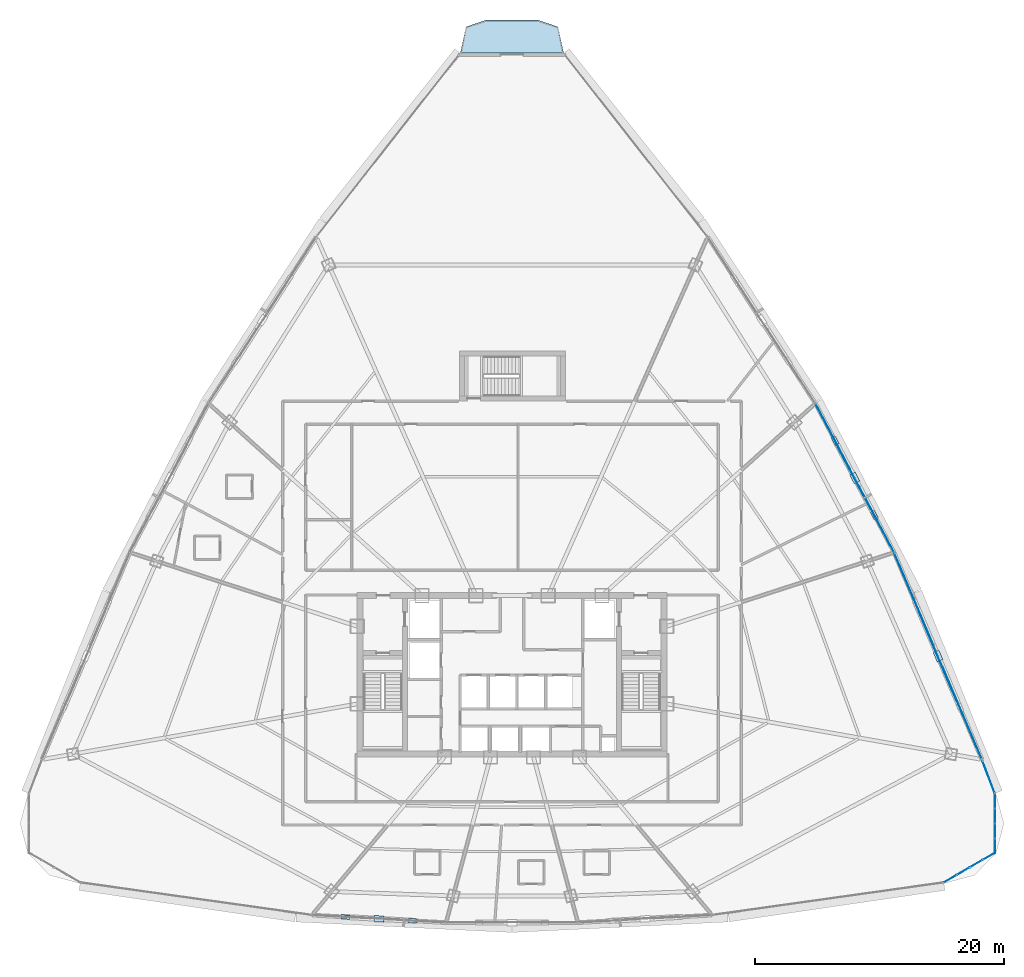
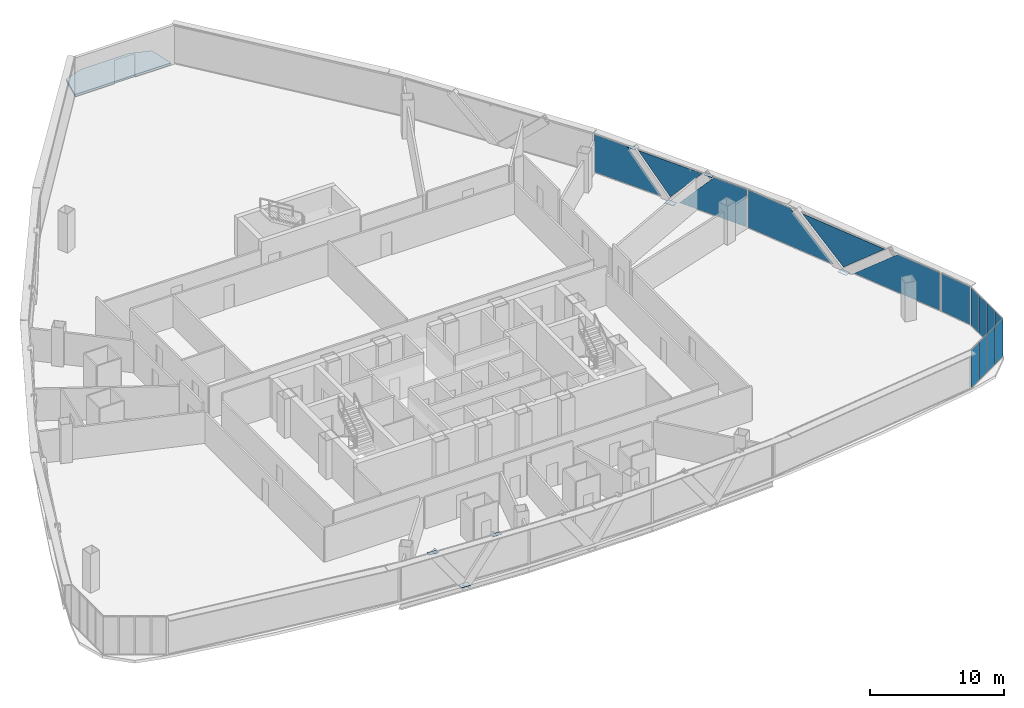
# One storey, part 30 of 40: 22 plates, 1 slab, 5 elements without a shape of their own.
"""IFC4 building model written with IfcOpenShell, lengths in metres."""

from ifc_helpers import new_model, si_unit, direction, frame, origin, origin_2d, place, context, subcontext, project, spatial, polyline, rectangle, outline, extrude, source, transform, mapped, material, layer, layer_set, type_object, element, aggregate, save


model = new_model("IFC4")

# Units and contexts
model_context = context("Model", 3, precision=1e-05, world=origin(), true_north=direction((0.0, 1.0)))
body_context = subcontext(model_context, "Body", "Model", "MODEL_VIEW")
ifc_project = project(units=[si_unit("LENGTHUNIT", "METRE"), si_unit("AREAUNIT", "SQUARE_METRE"), si_unit("VOLUMEUNIT", "CUBIC_METRE"), si_unit("PLANEANGLEUNIT", "RADIAN"), si_unit("MASSUNIT", "GRAM", prefix="KILO"), si_unit("THERMODYNAMICTEMPERATUREUNIT", "KELVIN"), si_unit("POWERUNIT", "WATT")], contexts=[model_context])

# Site, building, storey
site_placement = place(None, origin())
site = spatial("IfcSite", under=ifc_project, at=site_placement, CompositionType="ELEMENT")
building_placement = place(site_placement, origin())
building = spatial("IfcBuilding", under=site, at=building_placement, Name="Yunzhuo Pagoda Commons", CompositionType="ELEMENT")
storey_placement = place(building_placement, frame((0.0, 0.0, 184.760009765625)))
storey = spatial("IfcBuildingStorey", under=building, at=storey_placement, Name="L46", CompositionType="ELEMENT", Elevation=184.760009765625)

# Curtain wall, plates
ifc_material_1 = material(Name="Anodized aluminium 6063-T6", Category="aluminium")
ifc_layer_1 = layer(ifc_material_1, 0.14990234375)
ifc_layer_set_1 = layer_set([ifc_layer_1], Name="Anodized aluminium 6063-T6")
curtain_wall_type_1 = type_object("IfcCurtainWallType", Name="CW-MID Mid-Zone Ribbon Curtain Wall", PredefinedType="NOTDEFINED", material=ifc_layer_set_1)
curtain_wall_1_placement = place(storey_placement, origin())
curtain_wall_1 = element("IfcCurtainWall", 1, at=curtain_wall_1_placement, inside=storey, type_object=curtain_wall_type_1, Name="L46 curtain wall CW-L46-F2B2", PredefinedType="NOTDEFINED")
ifc_material_2 = material(Name="Tempered low-e double glazing", Category="glass")
ifc_layer_2 = layer(ifc_material_2, 0.028076171875)
ifc_layer_set_2 = layer_set([ifc_layer_2], Name="Tempered low-e double glazing")
plate_type_1 = type_object("IfcPlateType", Name="CW-MID-P Low-E Double Glazing 28", PredefinedType="CURTAIN_PANEL", material=ifc_layer_set_2)
plate_1_placement = place(storey_placement, frame((84.093994140625, 30.783447265625, 1.77001953125), z_axis=(0.920515325194, 0.390706457693, 0.0), x_axis=(-0.390706457693, 0.920515325194, 0.0)))
plate_1 = element("IfcPlate", 2, at=plate_1_placement, type_object=plate_type_1, Name="CW panel 1.1 lite 1", PredefinedType="CURTAIN_PANEL", context=body_context, shape_type="SweptSolid", body=[
    extrude(outline(polyline([(-3.99755859375, -1.715087890625), (3.99755859375, -1.715087890625), (-0.072509765625, 1.715087890625), (-3.99755859375, 1.715087890625), (-3.99755859375, -1.715087890625)])), origin(), (0.0, 0.0, 1.0), 0.028076171875),
])
plate_2_placement = place(storey_placement, frame((82.128173828125, 35.33837890625, 1.86083984375), z_axis=(0.920515325194, 0.390706457693, 0.0), x_axis=(-0.390706457693, 0.920515325194, 0.0)))
plate_2 = element("IfcPlate", 3, at=plate_2_placement, type_object=plate_type_1, Name="CW panel 1.1 lite 2", PredefinedType="CURTAIN_PANEL", context=body_context, shape_type="SweptSolid", body=[
    extrude(outline(polyline([(-3.854248046875, 1.6240234375), (0.0, -1.6240234375), (3.854248046875, 1.6240234375), (-3.854248046875, 1.6240234375)])), origin(), (0.0, 0.0, 1.0), 0.028076171875),
])
plate_3_placement = place(storey_placement, frame((80.217529296875, 39.916748046875, 1.77001953125), z_axis=(0.920515325194, 0.390706457693, 0.0), x_axis=(-0.390706457693, 0.920515325194, 0.0)))
plate_3 = element("IfcPlate", 4, at=plate_3_placement, type_object=plate_type_1, Name="CW panel 1.1 lite 3", PredefinedType="CURTAIN_PANEL", context=body_context, shape_type="SweptSolid", body=[
    extrude(outline(polyline([(-3.99755859375, -1.715087890625), (3.99755859375, -1.715087890625), (3.99755859375, 1.715087890625), (0.072509765625, 1.715087890625), (-3.99755859375, -1.715087890625)])), origin(), (0.0, 0.0, 1.0), 0.028076171875),
])
aggregate(curtain_wall_1, [plate_1, plate_2, plate_3])

curtain_wall_2_placement = place(storey_placement, origin())
curtain_wall_2 = element("IfcCurtainWall", 5, at=curtain_wall_2_placement, inside=storey, type_object=curtain_wall_type_1, Name="L46 curtain wall CW-L46-F2B3", PredefinedType="NOTDEFINED")
plate_4_placement = place(storey_placement, frame((77.225341796875, 46.317138671875, 1.77001953125), z_axis=(0.884373131246, 0.46678063877, 0.0), x_axis=(-0.46678063877, 0.884373131246, 0.0)))
plate_4 = element("IfcPlate", 6, at=plate_4_placement, type_object=plate_type_1, Name="CW panel 1.1 lite 1", PredefinedType="CURTAIN_PANEL", context=body_context, shape_type="SweptSolid", body=[
    extrude(outline(polyline([(-2.955078125, -1.715087890625), (2.955078125, -1.715087890625), (-0.095458984375, 1.715087890625), (-2.955078125, 1.715087890625), (-2.955078125, -1.715087890625)])), origin(), (0.0, 0.0, 1.0), 0.028076171875),
])
plate_5_placement = place(storey_placement, frame((75.451171875, 49.61376953125, 1.8984375), z_axis=(0.884373131246, 0.46678063877, 0.0), x_axis=(-0.46678063877, 0.884373131246, 0.0)))
plate_5 = element("IfcPlate", 7, at=plate_5_placement, type_object=plate_type_1, Name="CW panel 1.1 lite 2", PredefinedType="CURTAIN_PANEL", context=body_context, shape_type="SweptSolid", body=[
    extrude(outline(polyline([(-2.822021484375, 1.586669921875), (0.0, -1.586669921875), (2.822021484375, 1.586669921875), (-2.822021484375, 1.586669921875)])), origin(), (0.0, 0.0, 1.0), 0.028076171875),
])
plate_6_placement = place(storey_placement, frame((73.73046875, 52.938720703125, 1.77001953125), z_axis=(0.884373131246, 0.46678063877, 0.0), x_axis=(-0.46678063877, 0.884373131246, 0.0)))
plate_6 = element("IfcPlate", 8, at=plate_6_placement, type_object=plate_type_1, Name="CW panel 1.1 lite 3", PredefinedType="CURTAIN_PANEL", context=body_context, shape_type="SweptSolid", body=[
    extrude(outline(polyline([(-2.955078125, -1.715087890625), (2.955078125, -1.715087890625), (2.955078125, 1.715087890625), (0.09521484375, 1.715087890625), (-2.955078125, -1.715087890625)])), origin(), (0.0, 0.0, 1.0), 0.028076171875),
])
aggregate(curtain_wall_2, [plate_4, plate_5, plate_6])

# Slab
ifc_material_3 = material(Name="Concrete C40", Category="concrete")
ifc_layer_3 = layer(ifc_material_3, 0.199951171875)
ifc_layer_set_3 = layer_set([ifc_layer_3], Name="Concrete C40")
slab_type = type_object("IfcSlabType", Name="SL-BAL Vertex Balcony Deck Slab 200", PredefinedType="FLOOR", material=ifc_layer_set_3)
slab_placement = place(storey_placement, frame((0.0, 0.0, -0.199951171875)))
element("IfcSlab", 9, at=slab_placement, inside=storey, type_object=slab_type, Name="L46 corner balcony V3", PredefinedType="FLOOR", context=body_context, shape_type="SweptSolid", body=[
    extrude(outline(polyline([(52.140380859375, 83.7177734375), (43.859619140625, 83.7177734375), (44.309814453125, 85.812744140625), (45.929931640625, 86.36279296875), (50.070068359375, 86.36279296875), (51.690185546875, 85.812744140625), (52.140380859375, 83.7177734375)])), origin(), (0.0, 0.0, 1.0), 0.199951171875),
])

# Plates
ifc_material_4 = material(Name="Structural steel Q355B", Category="steel")
ifc_layer_4 = layer(ifc_material_4, 0.028076171875)
ifc_layer_set_4 = layer_set([ifc_layer_4], Name="Structural steel Q355B")
plate_type_2 = type_object("IfcPlateType", Name="SP-ND1 Lattice Node Cap Plate 800x500x28", PredefinedType="USERDEFINED", material=ifc_layer_set_4)
shared_shape_1 = source(origin(), body_context, "Body", "SweptSolid", [
    extrude(rectangle(XDim=0.800048828125, YDim=0.5, at=origin_2d()), origin(), (0.0, 0.0, 1.0), 0.028076171875),
])
for number, where, z_axis, x_axis, name in (
    (10, (37.3330078125, 14.27294921875, -0.27392578125), (0.0, 0.0, 1.0), (0.998423178068, -0.05613517165, 0.0), "L46 diamond node plate F1.1A"),
    (11, (82.168701171875, 35.35546875, -0.27392578125), (0.0, 0.0, 1.0), (-0.39069899657, 0.920518491981, 0.0), "L46 diamond node plate F2.1A"),
    (12, (75.490234375, 49.634521484375, -0.27392578125), (0.0, 0.0, 1.0), (-0.46678800242, 0.884369244601, 0.0), "L46 diamond node plate F2.2A"),
):
    element("IfcPlate", number, at=place(storey_placement, frame(where, z_axis=z_axis, x_axis=x_axis)), inside=storey, type_object=plate_type_2, Name=name, ObjectType="STIFFENER_PLATE", PredefinedType="USERDEFINED", context=body_context, shape_type="MappedRepresentation", body=[
        mapped(shared_shape_1, transform((0.0, 0.0, 0.0), scale=1.0)),
    ])
shared_shape_2 = source(origin(), body_context, "Body", "SweptSolid", [
    extrude(rectangle(XDim=0.699951171875, YDim=0.35009765625, at=origin_2d()), origin(), (0.0, 0.0, 1.0), 0.035888671875),
])
for number, where, z_axis, x_axis, name in (
    (13, (34.642822265625, 14.42431640625, 3.501953125), (0.0, 0.0, 1.0), (0.998423178068, -0.05613517165, 0.0), "L46 setback lattice tie plate F1.1L"),
    (14, (40.023193359375, 14.12158203125, 3.501953125), (0.0, 0.0, 1.0), (0.998423178068, -0.05613517165, 0.0), "L46 setback lattice tie plate F1.1R"),
    (15, (77.067626953125, 46.645751953125, 3.501953125), (0.0, 0.0, 1.0), (-0.46678800242, 0.884369244601, 0.0), "L46 setback lattice tie plate F2.2L"),
    (16, (73.912841796875, 52.623046875, 3.501953125), (0.0, 0.0, 1.0), (-0.46678800242, 0.884369244601, 0.0), "L46 setback lattice tie plate F2.2R"),
):
    element("IfcPlate", number, at=place(storey_placement, frame(where, z_axis=z_axis, x_axis=x_axis)), inside=storey, type_object=plate_type_2, Name=name, ObjectType="STIFFENER_PLATE", PredefinedType="USERDEFINED", context=body_context, shape_type="MappedRepresentation", body=[
        mapped(shared_shape_2, transform((0.0, 0.0, 0.0), scale=1.0)),
    ])

# Curtain wall, plate
curtain_wall_3_placement = place(storey_placement, origin())
curtain_wall_3 = element("IfcCurtainWall", 17, at=curtain_wall_3_placement, inside=storey, type_object=curtain_wall_type_1, Name="L46 curtain wall CW-L46-F2B1", PredefinedType="NOTDEFINED")
shared_shape_3 = source(origin(), body_context, "Body", "SweptSolid", [
    extrude(rectangle(XDim=2.718994140625, YDim=0.028076171875, at=origin_2d()), origin(), (0.0, 0.0, 1.0), 3.429931640625),
])
plate_7_placement = place(storey_placement, frame((86.2216796875, 25.65625, 0.05517578125), z_axis=(0.0, 0.0, 1.0), x_axis=(-0.354256000401, 0.935148483493, 0.0)))
plate_7 = element("IfcPlate", 18, at=plate_7_placement, type_object=plate_type_1, Name="CW panel 1.1", PredefinedType="CURTAIN_PANEL", context=body_context, shape_type="MappedRepresentation", body=[
    mapped(shared_shape_3, transform((0.0, 0.0, 0.0), scale=1.0)),
])
aggregate(curtain_wall_3, [plate_7])

# Curtain wall, plates
ifc_layer_5 = layer(ifc_material_1, 0.1298828125)
ifc_layer_set_5 = layer_set([ifc_layer_5], Name="Anodized aluminium 6063-T6")
curtain_wall_type_2 = type_object("IfcCurtainWallType", Name="CW-VTX Rounded Corner Curtain Wall", PredefinedType="NOTDEFINED", material=ifc_layer_set_5)
curtain_wall_4_placement = place(storey_placement, origin())
curtain_wall_4 = element("IfcCurtainWall", 19, at=curtain_wall_4_placement, inside=storey, type_object=curtain_wall_type_2, Name="L46 curtain wall CW-L46-VTX2S1", PredefinedType="NOTDEFINED")
ifc_layer_6 = layer(ifc_material_2, 0.02587890625)
ifc_layer_set_6 = layer_set([ifc_layer_6], Name="Tempered low-e double glazing")
plate_type_3 = type_object("IfcPlateType", Name="CW-VTX-P Low-E Double Glazing 26", PredefinedType="CURTAIN_PANEL", material=ifc_layer_set_6)
shared_shape_4 = source(origin(), body_context, "Body", "SweptSolid", [
    extrude(rectangle(XDim=1.118408203125, YDim=0.028076171875, at=origin_2d()), origin(), (0.0, 0.0, 1.0), 3.429931640625),
])
plate_8_placement = place(storey_placement, frame((83.15576171875, 17.4951171875, 0.05517578125), z_axis=(0.0, 0.0, 1.0), x_axis=(0.865423910208, 0.501040373263, 0.0)))
plate_8 = element("IfcPlate", 20, at=plate_8_placement, type_object=plate_type_3, Name="CW panel 1.1", PredefinedType="CURTAIN_PANEL", context=body_context, shape_type="MappedRepresentation", body=[
    mapped(shared_shape_4, transform((0.0, 0.0, 0.0), scale=1.0)),
])
plate_9_placement = place(storey_placement, frame((86.25, 19.28662109375, 0.05517578125), z_axis=(0.0, 0.0, 1.0), x_axis=(0.865423910208, 0.501040373263, 0.0)))
plate_9 = element("IfcPlate", 21, at=plate_9_placement, type_object=plate_type_3, Name="CW panel 4.1", PredefinedType="CURTAIN_PANEL", context=body_context, shape_type="MappedRepresentation", body=[
    mapped(shared_shape_4, transform((0.0, 0.0, 0.0), scale=1.0)),
])

curtain_wall_5_placement = place(storey_placement, origin())
curtain_wall_5 = element("IfcCurtainWall", 22, at=curtain_wall_5_placement, inside=storey, type_object=curtain_wall_type_2, Name="L46 curtain wall CW-L46-VTX2S2", PredefinedType="NOTDEFINED")
plate_10_placement = place(storey_placement, frame((86.739501953125, 20.13916015625, 0.05517578125), z_axis=(0.0, 0.0, 1.0), x_axis=(-0.003580326762, 0.99999359061, 0.0)))
plate_10 = element("IfcPlate", 23, at=plate_10_placement, type_object=plate_type_3, Name="CW panel 1.1", PredefinedType="CURTAIN_PANEL", context=body_context, shape_type="MappedRepresentation", body=[
    mapped(shared_shape_4, transform((0.0, 0.0, 0.0), scale=1.0)),
])
plate_11_placement = place(storey_placement, frame((86.726806640625, 23.714599609375, 0.05517578125), z_axis=(0.0, 0.0, 1.0), x_axis=(-0.003580326762, 0.99999359061, 0.0)))
plate_11 = element("IfcPlate", 24, at=plate_11_placement, type_object=plate_type_3, Name="CW panel 4.1", PredefinedType="CURTAIN_PANEL", context=body_context, shape_type="MappedRepresentation", body=[
    mapped(shared_shape_4, transform((0.0, 0.0, 0.0), scale=1.0)),
])

# Plate
shared_shape_5 = source(origin(), body_context, "Body", "SweptSolid", [
    extrude(rectangle(XDim=1.14599609375, YDim=0.028076171875, at=origin_2d()), origin(), (0.0, 0.0, 1.0), 3.429931640625),
])
plate_12_placement = place(storey_placement, frame((84.183349609375, 18.090087890625, 0.05517578125), z_axis=(0.0, 0.0, 1.0), x_axis=(0.865423910208, 0.501040373263, 0.0)))
plate_12 = element("IfcPlate", 25, at=plate_12_placement, type_object=plate_type_3, Name="CW panel 2.1", PredefinedType="CURTAIN_PANEL", context=body_context, shape_type="MappedRepresentation", body=[
    mapped(shared_shape_5, transform((0.0, 0.0, 0.0), scale=1.0)),
])

plate_13_placement = place(storey_placement, frame((85.22265625, 18.69189453125, 0.05517578125), z_axis=(0.0, 0.0, 1.0), x_axis=(0.865423910208, 0.501040373263, 0.0)))
plate_13 = element("IfcPlate", 26, at=plate_13_placement, type_object=plate_type_3, Name="CW panel 3.1", PredefinedType="CURTAIN_PANEL", context=body_context, shape_type="MappedRepresentation", body=[
    mapped(shared_shape_5, transform((0.0, 0.0, 0.0), scale=1.0)),
])

aggregate(curtain_wall_4, [plate_8, plate_12, plate_13, plate_9])

plate_14_placement = place(storey_placement, frame((86.7353515625, 21.326416015625, 0.05517578125), z_axis=(0.0, 0.0, 1.0), x_axis=(-0.003580326762, 0.99999359061, 0.0)))
plate_14 = element("IfcPlate", 27, at=plate_14_placement, type_object=plate_type_3, Name="CW panel 2.1", PredefinedType="CURTAIN_PANEL", context=body_context, shape_type="MappedRepresentation", body=[
    mapped(shared_shape_5, transform((0.0, 0.0, 0.0), scale=1.0)),
])

plate_15_placement = place(storey_placement, frame((86.73095703125, 22.52734375, 0.05517578125), z_axis=(0.0, 0.0, 1.0), x_axis=(-0.003580326762, 0.99999359061, 0.0)))
plate_15 = element("IfcPlate", 28, at=plate_15_placement, type_object=plate_type_3, Name="CW panel 3.1", PredefinedType="CURTAIN_PANEL", context=body_context, shape_type="MappedRepresentation", body=[
    mapped(shared_shape_5, transform((0.0, 0.0, 0.0), scale=1.0)),
])

aggregate(curtain_wall_5, [plate_10, plate_14, plate_15, plate_11])

save(model, "model.ifc")
